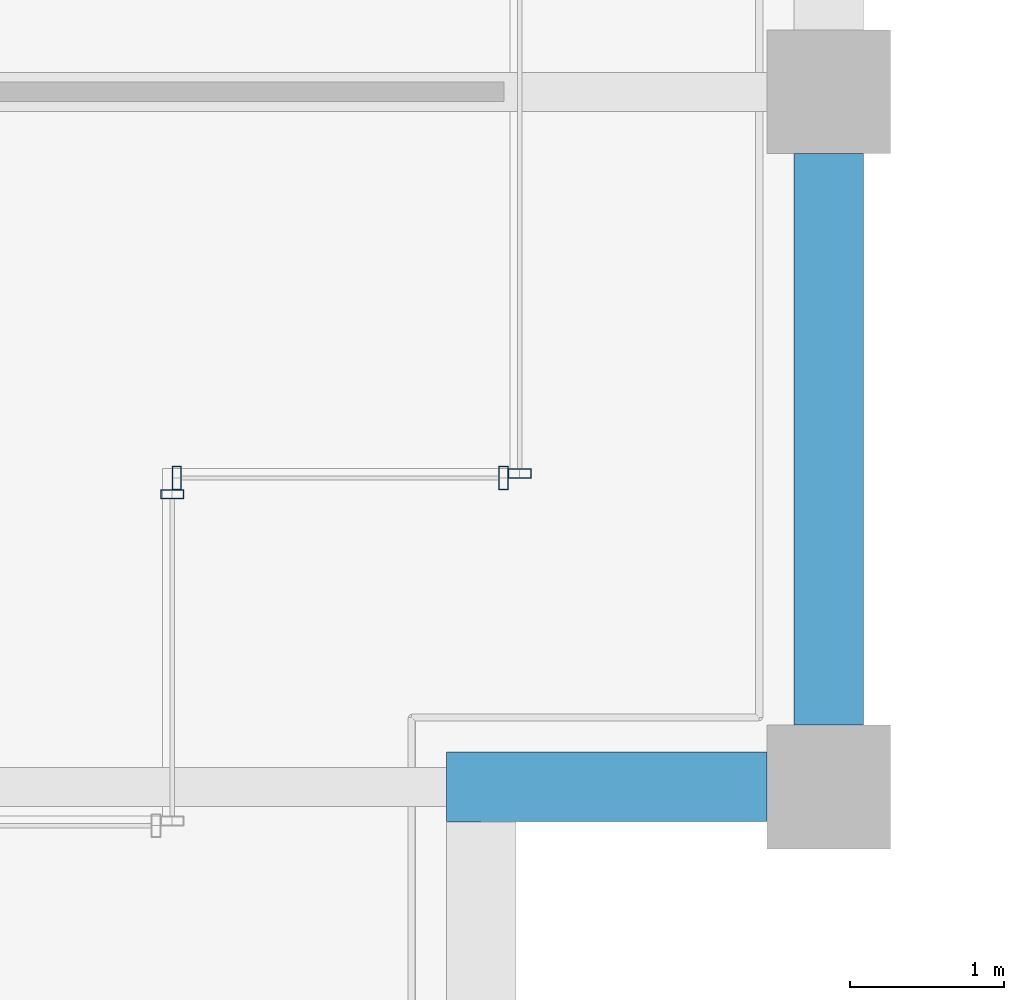
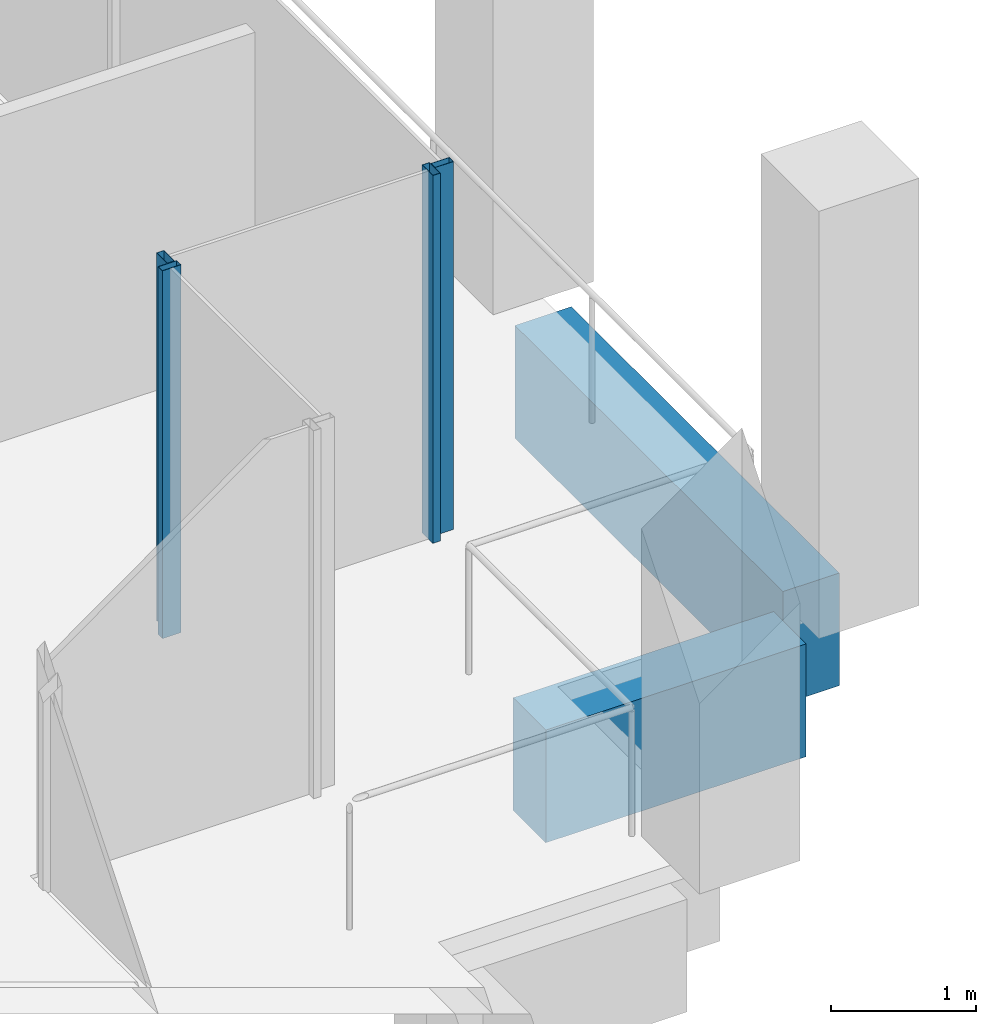
# One storey, part 15 of 62: 4 members, 2 beams, 3 elements without a shape of their own.
"""IFC4 building model written with IfcOpenShell, lengths in metres."""

from ifc_helpers import new_model, si_unit, direction, frame, origin, origin_2d, place, context, subcontext, project, spatial, rectangle, hollow_rectangle, extrude, material, material_profile, profile_set, type_object, element, aggregate, save


model = new_model("IFC4")

# Units and contexts
model_context = context("Model", 3, precision=1e-05, world=origin(), true_north=direction((0.0, 1.0)))
body_context = subcontext(model_context, "Body", "Model", "MODEL_VIEW")
ifc_project = project(units=[si_unit("LENGTHUNIT", "METRE"), si_unit("AREAUNIT", "SQUARE_METRE"), si_unit("VOLUMEUNIT", "CUBIC_METRE"), si_unit("PLANEANGLEUNIT", "RADIAN"), si_unit("MASSUNIT", "GRAM", prefix="KILO")], contexts=[model_context])

# Site, building, storey
site_placement = place(None, origin())
site = spatial("IfcSite", under=ifc_project, at=site_placement, CompositionType="ELEMENT")
building_placement = place(site_placement, origin())
building = spatial("IfcBuilding", under=site, at=building_placement, Name="Altepetl Exchange Towers", CompositionType="ELEMENT")
storey_placement = place(building_placement, frame((0.0, 0.0, 210.0)))
storey = spatial("IfcBuildingStorey", under=building, at=storey_placement, Name="L53", CompositionType="ELEMENT", Elevation=210.0)

# Curtain wall, member
ifc_material_1 = material(Name="Aluminium 6063-T6 glazing", Category="aluminium")
curtain_wall_type = type_object("IfcCurtainWallType", Name="Loggia glazing system", PredefinedType="NOTDEFINED", material=ifc_material_1)
curtain_wall_1_placement = place(storey_placement, origin())
curtain_wall_1 = element("IfcCurtainWall", 1, at=curtain_wall_1_placement, inside=storey, type_object=curtain_wall_type, Name="CW1 run", PredefinedType="NOTDEFINED")
ifc_material_2 = material(Name="Aluminium 6063-T6", Category="aluminium")
ifc_material_profile_1 = material_profile(ifc_material_2, hollow_rectangle(XDim=0.06005859375, YDim=0.14990234375, WallThickness=0.0029296875, at=origin_2d()), Name="Mullion 60x150 aluminium")
ifc_profile_set_1 = profile_set([ifc_material_profile_1], Name="Aluminium 6063-T6")
member_type = type_object("IfcMemberType", Name="Mullion 60x150 aluminium", PredefinedType="MULLION", material=ifc_profile_set_1)
member_1_placement = place(storey_placement, frame((67.75, 33.39501953125, 0.0), z_axis=(0.0, 0.0, 1.0), x_axis=(0.0, 1.0, 0.0)))
member_1 = element("IfcMember", 2, at=member_1_placement, type_object=member_type, Name="MU1 mullion", PredefinedType="MULLION", context=body_context, shape_type="SweptSolid", body=[
    extrude(hollow_rectangle(XDim=0.06005859375, YDim=0.14990234375, WallThickness=0.0029296875, at=origin_2d()), origin(), (0.0, 0.0, 1.0), 3.10009765625),
])
aggregate(curtain_wall_1, [member_1])

# Curtain wall, members
curtain_wall_2_placement = place(storey_placement, origin())
curtain_wall_2 = element("IfcCurtainWall", 3, at=curtain_wall_2_placement, inside=storey, type_object=curtain_wall_type, Name="CW1 run", PredefinedType="NOTDEFINED")
member_2_placement = place(storey_placement, frame((67.780029296875, 33.5, 0.0)))
member_2 = element("IfcMember", 4, at=member_2_placement, type_object=member_type, Name="MU1 mullion", PredefinedType="MULLION", context=body_context, shape_type="SweptSolid", body=[
    extrude(hollow_rectangle(XDim=0.06005859375, YDim=0.14990234375, WallThickness=0.0029296875, at=origin_2d()), origin(), (0.0, 0.0, 1.0), 3.10009765625),
])
member_3_placement = place(storey_placement, frame((69.89501953125, 33.5, 0.0)))
member_3 = element("IfcMember", 5, at=member_3_placement, type_object=member_type, Name="MU1 mullion", PredefinedType="MULLION", context=body_context, shape_type="SweptSolid", body=[
    extrude(hollow_rectangle(XDim=0.06005859375, YDim=0.14990234375, WallThickness=0.0029296875, at=origin_2d()), origin(), (0.0, 0.0, 1.0), 3.10009765625),
])
aggregate(curtain_wall_2, [member_2, member_3])

# Curtain wall, member
curtain_wall_3_placement = place(storey_placement, origin())
curtain_wall_3 = element("IfcCurtainWall", 6, at=curtain_wall_3_placement, inside=storey, type_object=curtain_wall_type, Name="CW1 run", PredefinedType="NOTDEFINED")
member_4_placement = place(storey_placement, frame((70.0, 33.530029296875, 0.0), z_axis=(0.0, 0.0, 1.0), x_axis=(0.0, 1.0, 0.0)))
member_4 = element("IfcMember", 7, at=member_4_placement, type_object=member_type, Name="MU1 mullion", PredefinedType="MULLION", context=body_context, shape_type="SweptSolid", body=[
    extrude(hollow_rectangle(XDim=0.06005859375, YDim=0.14990234375, WallThickness=0.0029296875, at=origin_2d()), origin(), (0.0, 0.0, 1.0), 3.10009765625),
])
aggregate(curtain_wall_3, [member_4])

# Beams
ifc_material_3 = material(Name="Concrete C50/60 precast with cantera amarilla facing", Category="concrete")
ifc_material_profile_2 = material_profile(ifc_material_3, rectangle(XDim=0.449951171875, YDim=0.949951171875, at=origin_2d()), Name="450 x 950")
ifc_profile_set_2 = profile_set([ifc_material_profile_2], Name="Concrete C50/60 precast with cantera amarilla facing")
beam_type = type_object("IfcBeamType", Name="Spandrel beam 450x950 cantera amarilla", PredefinedType="SPANDREL", material=ifc_profile_set_2)
beam_1_placement = place(storey_placement, frame((69.52490234375, 31.5, -0.625), z_axis=(1.0, 0.0, 0.0), x_axis=(0.0, 1.0, 0.0)))
element("IfcBeam", 8, at=beam_1_placement, inside=storey, type_object=beam_type, Name="sp:A:L53:011", PredefinedType="SPANDREL", context=body_context, shape_type="SweptSolid", body=[
    extrude(rectangle(XDim=0.449951171875, YDim=0.949951171875, at=origin_2d()), origin(), (0.0, 0.0, 1.0), 2.0751953125),
])
beam_2_placement = place(storey_placement, frame((72.0, 31.89990234375, -0.625), z_axis=(0.0, 1.0, 0.0), x_axis=(-1.0, 0.0, 0.0)))
element("IfcBeam", 9, at=beam_2_placement, inside=storey, type_object=beam_type, Name="sp:A:L53:012", PredefinedType="SPANDREL", context=body_context, shape_type="SweptSolid", body=[
    extrude(rectangle(XDim=0.449951171875, YDim=0.949951171875, at=origin_2d()), origin(), (0.0, 0.0, 1.0), 3.7001953125),
])

save(model, "model.ifc")
